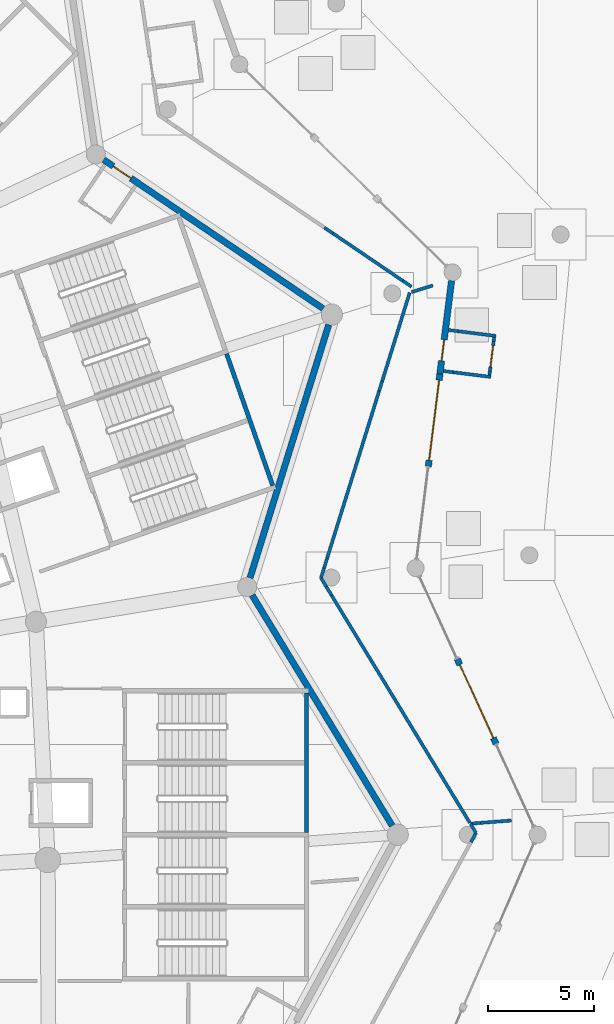
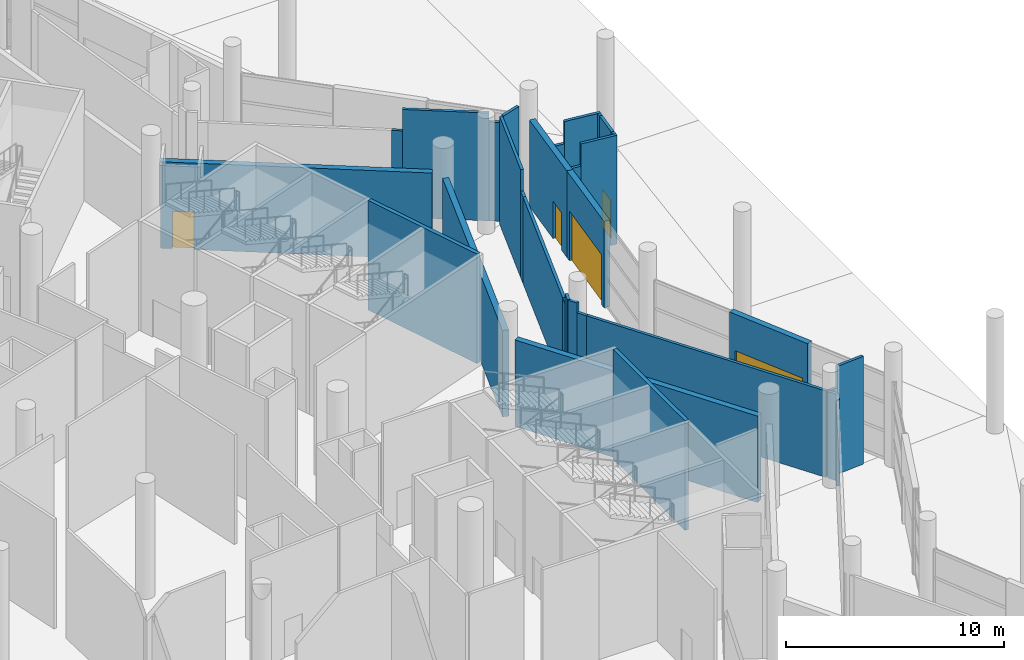
# One storey, part 149 of 255: 31 walls, 5 doors, 5 openings.
"""IFC4 building model written with IfcOpenShell, lengths in metres."""

from ifc_helpers import new_model, si_unit, direction, frame, frame_2d, origin, place, context, subcontext, project, spatial, rectangle, extrude, material, layer, layer_set, type_object, element, fill, save


model = new_model("IFC4")

# Units and contexts
model_context = context("Model", 3, precision=1e-05, world=origin(), true_north=direction((0.0, 1.0)))
body_context = subcontext(model_context, "Body", "Model", "MODEL_VIEW")
ifc_project = project(units=[si_unit("LENGTHUNIT", "METRE"), si_unit("AREAUNIT", "SQUARE_METRE"), si_unit("VOLUMEUNIT", "CUBIC_METRE"), si_unit("PLANEANGLEUNIT", "RADIAN"), si_unit("MASSUNIT", "GRAM", prefix="KILO")], contexts=[model_context])

# Site, building, storey
site_placement = place(None, origin())
site = spatial("IfcSite", under=ifc_project, at=site_placement, CompositionType="ELEMENT")
building_placement = place(site_placement, origin())
building = spatial("IfcBuilding", under=site, at=building_placement, Name="Meseta Stadium", CompositionType="ELEMENT")
storey_placement = place(building_placement, origin())
storey = spatial("IfcBuildingStorey", under=building, at=storey_placement, Name="L00", CompositionType="ELEMENT", Elevation=0.0)

# Walls
ifc_material_1 = material(Name="Concrete C40/50", Category="concrete")
ifc_layer_1 = layer(ifc_material_1, 0.199951171875)
ifc_layer_set_1 = layer_set([ifc_layer_1], Name="Core shaft wall 200")
wall_type_1 = type_object("IfcWallType", Name="Core shaft wall 200", PredefinedType="SHEAR", material=ifc_layer_set_1)
wall_1_placement = place(storey_placement, frame((97.10009765625, 43.85009765625, 0.0), z_axis=(0.0, 0.0, 1.0), x_axis=(0.0, 1.0, 0.0)))
element("IfcWall", 1, at=wall_1_placement, inside=storey, type_object=wall_type_1, Name="Core 05 L00 stair B outer end wall", PredefinedType="SHEAR", context=body_context, shape_type="SweptSolid", body=[
    extrude(rectangle(XDim=6.599853515625, YDim=0.199951171875, at=frame_2d((3.2998046875, 0.0))), origin(), (0.0, 0.0, 1.0), 6.14990234375),
])
wall_2_placement = place(storey_placement, frame((95.50146484375, 60.222900390625, 0.0), z_axis=(0.0, 0.0, 1.0), x_axis=(-0.330286164688, 0.943880844925, 0.0)))
element("IfcWall", 2, at=wall_2_placement, inside=storey, type_object=wall_type_1, Name="Core 06 L00 stair A outer end wall", PredefinedType="SHEAR", context=body_context, shape_type="SweptSolid", body=[
    extrude(rectangle(XDim=6.60009765625, YDim=0.199951171875, at=frame_2d((3.300048828125, 0.0))), origin(), (0.0, 0.0, 1.0), 6.14990234375),
])
ifc_material_2 = material(Name="Masonry blockwork", Category="masonry")
ifc_layer_2 = layer(ifc_material_2, 0.14990234375)
ifc_layer_set_2 = layer_set([ifc_layer_2], Name="Partition 150")
wall_type_2 = type_object("IfcWallType", Name="Partition 150", PredefinedType="PARTITIONING", material=ifc_layer_set_2)
wall_3_placement = place(storey_placement, frame((104.854736328125, 43.404296875, 0.0), z_axis=(0.0, 0.0, 1.0), x_axis=(0.477778636386, 0.878480264214, 0.0)))
element("IfcWall", 3, at=wall_3_placement, inside=storey, type_object=wall_type_2, Name="Partition L00 L00-ring03-0", PredefinedType="PARTITIONING", context=body_context, shape_type="SweptSolid", body=[
    extrude(rectangle(XDim=0.494140625, YDim=0.14990234375, at=frame_2d((0.2470703125, 0.0))), origin(), (0.0, 0.0, 1.0), 4.85009765625),
])
wall_4_placement = place(storey_placement, frame((105.0908203125, 43.83837890625, 0.0), z_axis=(0.0, 0.0, 1.0), x_axis=(-0.519227807871, 0.854635877747, 0.0)))
element("IfcWall", 4, at=wall_4_placement, inside=storey, type_object=wall_type_2, Name="Partition L00 L00-ring03-0", PredefinedType="PARTITIONING", context=body_context, shape_type="SweptSolid", body=[
    extrude(rectangle(XDim=0.48486328125, YDim=0.14990234375, at=frame_2d((0.242431640625, 0.0))), origin(), (0.0, 0.0, 1.0), 4.85009765625),
])
wall_5_placement = place(storey_placement, frame((104.826171875, 44.27392578125, 0.0), z_axis=(0.0, 0.0, 1.0), x_axis=(0.997060412816, 0.076619404827, 0.0)))
element("IfcWall", 5, at=wall_5_placement, inside=storey, type_object=wall_type_2, Name="Partition L00 L00-ring03-0", PredefinedType="PARTITIONING", context=body_context, shape_type="SweptSolid", body=[
    extrude(rectangle(XDim=0.484375, YDim=0.14990234375, at=frame_2d((0.2421875, 0.0))), origin(), (0.0, 0.0, 1.0), 4.85009765625),
])
wall_6_placement = place(storey_placement, frame((105.30908203125, 44.31103515625, 0.0), z_axis=(0.0, 0.0, 1.0), x_axis=(0.997074216986, 0.076439556652, 0.0)))
element("IfcWall", 6, at=wall_6_placement, inside=storey, type_object=wall_type_2, Name="Partition L00 L00-ring03-0", PredefinedType="PARTITIONING", context=body_context, shape_type="SweptSolid", body=[
    extrude(rectangle(XDim=1.453125, YDim=0.14990234375, at=frame_2d((0.7265625, 0.0))), origin(), (0.0, 0.0, 1.0), 6.050048828125),
])
wall_7_placement = place(storey_placement, frame((104.80029296875, 44.316650390625, 0.0), z_axis=(0.0, 0.0, 1.0), x_axis=(-0.519360721843, 0.85455511268, 0.0)))
element("IfcWall", 7, at=wall_7_placement, inside=storey, type_object=wall_type_2, Name="Partition L00 L00-ring04-0", PredefinedType="PARTITIONING", context=body_context, shape_type="SweptSolid", body=[
    extrude(rectangle(XDim=12.553955078125, YDim=0.14990234375, at=frame_2d((6.27685546875, 0.0))), origin(), (0.0, 0.0, 1.0), 4.85009765625),
])
wall_8_placement = place(storey_placement, frame((98.2802734375, 55.044677734375, 0.0), z_axis=(0.0, 0.0, 1.0), x_axis=(-0.519690320674, 0.854354710058, 0.0)))
element("IfcWall", 8, at=wall_8_placement, inside=storey, type_object=wall_type_2, Name="Partition L00 L00-ring04-0", PredefinedType="PARTITIONING", context=body_context, shape_type="SweptSolid", body=[
    extrude(rectangle(XDim=0.48291015625, YDim=0.14990234375, at=frame_2d((0.241455078125, 0.0))), origin(), (0.0, 0.0, 1.0), 4.85009765625),
])
wall_9_placement = place(storey_placement, frame((98.029296875, 55.457275390625, 0.0), z_axis=(0.0, 0.0, 1.0), x_axis=(-0.518951736183, 0.854803542056, 0.0)))
element("IfcWall", 9, at=wall_9_placement, inside=storey, type_object=wall_type_2, Name="Partition L00 L00-ring04-0", PredefinedType="PARTITIONING", context=body_context, shape_type="SweptSolid", body=[
    extrude(rectangle(XDim=0.482666015625, YDim=0.14990234375, at=frame_2d((0.2412109375, 0.0))), origin(), (0.0, 0.0, 1.0), 5.39990234375),
])
wall_10_placement = place(storey_placement, frame((97.77880859375, 55.869873046875, 0.0), z_axis=(0.0, 0.0, 1.0), x_axis=(0.296873171233, 0.954916917958, 0.0)))
element("IfcWall", 10, at=wall_10_placement, inside=storey, type_object=wall_type_2, Name="Partition L00 L00-ring04-0", PredefinedType="PARTITIONING", context=body_context, shape_type="SweptSolid", body=[
    extrude(rectangle(XDim=0.486083984375, YDim=0.14990234375, at=frame_2d((0.2431640625, 0.0))), origin(), (0.0, 0.0, 1.0), 5.39990234375),
])
wall_11_placement = place(storey_placement, frame((97.923095703125, 56.333984375, 0.0), z_axis=(0.0, 0.0, 1.0), x_axis=(0.296730832925, 0.95496115774, 0.0)))
element("IfcWall", 11, at=wall_11_placement, inside=storey, type_object=wall_type_2, Name="Partition L00 L00-ring04-0", PredefinedType="PARTITIONING", context=body_context, shape_type="SweptSolid", body=[
    extrude(rectangle(XDim=0.486328125, YDim=0.14990234375, at=frame_2d((0.2431640625, 0.0))), origin(), (0.0, 0.0, 1.0), 4.85009765625),
])
wall_12_placement = place(storey_placement, frame((98.0673828125, 56.79833984375, 0.0), z_axis=(0.0, 0.0, 1.0), x_axis=(0.296860049539, 0.954920997249, 0.0)))
element("IfcWall", 12, at=wall_12_placement, inside=storey, type_object=wall_type_2, Name="Partition L00 L00-ring04-0", PredefinedType="PARTITIONING", context=body_context, shape_type="SweptSolid", body=[
    extrude(rectangle(XDim=8.264404296875, YDim=0.14990234375, at=frame_2d((4.13232421875, 0.0))), origin(), (0.0, 0.0, 1.0), 4.85009765625),
])
wall_13_placement = place(storey_placement, frame((100.520751953125, 64.690185546875, 0.0), z_axis=(0.0, 0.0, 1.0), x_axis=(0.296873171233, 0.954916917958, 0.0)))
element("IfcWall", 13, at=wall_13_placement, inside=storey, type_object=wall_type_2, Name="Partition L00 L00-ring04-0", PredefinedType="PARTITIONING", context=body_context, shape_type="SweptSolid", body=[
    extrude(rectangle(XDim=0.486083984375, YDim=0.14990234375, at=frame_2d((0.2431640625, 0.0))), origin(), (0.0, 0.0, 1.0), 4.85009765625),
])
wall_14_placement = place(storey_placement, frame((100.6650390625, 65.154296875, 0.0), z_axis=(0.0, 0.0, 1.0), x_axis=(0.296844960802, 0.954925687814, 0.0)))
element("IfcWall", 14, at=wall_14_placement, inside=storey, type_object=wall_type_2, Name="Partition L00 L00-ring04-0", PredefinedType="PARTITIONING", context=body_context, shape_type="SweptSolid", body=[
    extrude(rectangle(XDim=4.37548828125, YDim=0.14990234375, at=frame_2d((2.187744140625, 0.0))), origin(), (0.0, 0.0, 1.0), 6.050048828125),
])
wall_15_placement = place(storey_placement, frame((102.05078125, 69.359375, 0.0), z_axis=(0.0, 0.0, 1.0), x_axis=(0.954846542122, 0.29709944631, 0.0)))
element("IfcWall", 15, at=wall_15_placement, inside=storey, type_object=wall_type_2, Name="Partition L00 L00-ring04-0", PredefinedType="PARTITIONING", context=body_context, shape_type="SweptSolid", body=[
    extrude(rectangle(XDim=1.052734375, YDim=0.14990234375, at=frame_2d((0.5263671875, 0.0))), origin(), (0.0, 0.0, 1.0), 6.050048828125),
])
wall_16_placement = place(storey_placement, frame((102.05126953125, 69.61328125, 0.0), z_axis=(0.0, 0.0, 1.0), x_axis=(-0.827646697141, 0.561249449632, 0.0)))
element("IfcWall", 16, at=wall_16_placement, inside=storey, type_object=wall_type_2, Name="Partition L00 L00-ring05-0", PredefinedType="PARTITIONING", context=body_context, shape_type="SweptSolid", body=[
    extrude(rectangle(XDim=0.49755859375, YDim=0.14990234375, at=frame_2d((0.248779296875, 0.0))), origin(), (0.0, 0.0, 1.0), 5.550048828125),
])
wall_17_placement = place(storey_placement, frame((101.639404296875, 69.892578125, 0.0), z_axis=(0.0, 0.0, 1.0), x_axis=(-0.82747475675, 0.561502918017, 0.0)))
element("IfcWall", 17, at=wall_17_placement, inside=storey, type_object=wall_type_2, Name="Partition L00 L00-ring05-0", PredefinedType="PARTITIONING", context=body_context, shape_type="SweptSolid", body=[
    extrude(rectangle(XDim=3.98095703125, YDim=0.14990234375, at=frame_2d((1.990478515625, 0.0))), origin(), (0.0, 0.0, 1.0), 6.050048828125),
])
wall_18_placement = place(storey_placement, frame((98.34521484375, 72.1279296875, 0.0), z_axis=(0.0, 0.0, 1.0), x_axis=(-0.827492062667, 0.561477413814, 0.0)))
element("IfcWall", 18, at=wall_18_placement, inside=storey, type_object=wall_type_2, Name="Partition L00 L00-ring05-0", PredefinedType="PARTITIONING", context=body_context, shape_type="SweptSolid", body=[
    extrude(rectangle(XDim=0.497314453125, YDim=0.14990234375, at=frame_2d((0.24853515625, 0.0))), origin(), (0.0, 0.0, 1.0), 4.85009765625),
])
wall_19_placement = place(storey_placement, frame((103.800537109375, 67.569091796875, 0.0), z_axis=(0.0, 0.0, 1.0), x_axis=(0.992252817521, -0.124235043856, 0.0)))
element("IfcWall", 19, at=wall_19_placement, inside=storey, type_object=wall_type_2, Name="Partition L00 L00-ring04-0 vestibule", PredefinedType="PARTITIONING", context=body_context, shape_type="SweptSolid", body=[
    extrude(rectangle(XDim=0.449951171875, YDim=0.14990234375, at=frame_2d((0.22509765625, 0.0))), origin(), (0.0, 0.0, 1.0), 4.85009765625),
])
wall_20_placement = place(storey_placement, frame((104.2470703125, 67.51318359375, 0.0), z_axis=(0.0, 0.0, 1.0), x_axis=(0.992269528002, -0.124101506031, 0.0)))
element("IfcWall", 20, at=wall_20_placement, inside=storey, type_object=wall_type_2, Name="Partition L00 L00-ring04-0 vestibule", PredefinedType="PARTITIONING", context=body_context, shape_type="SweptSolid", body=[
    extrude(rectangle(XDim=1.800048828125, YDim=0.14990234375, at=frame_2d((0.89990234375, 0.0))), origin(), (0.0, 0.0, 1.0), 6.10009765625),
])
wall_21_placement = place(storey_placement, frame((103.558349609375, 65.63427734375, 0.0), z_axis=(0.0, 0.0, 1.0), x_axis=(0.992252817521, -0.124235043856, 0.0)))
element("IfcWall", 21, at=wall_21_placement, inside=storey, type_object=wall_type_2, Name="Partition L00 L00-ring04-0 vestibule", PredefinedType="PARTITIONING", context=body_context, shape_type="SweptSolid", body=[
    extrude(rectangle(XDim=0.449951171875, YDim=0.14990234375, at=frame_2d((0.22509765625, 0.0))), origin(), (0.0, 0.0, 1.0), 4.85009765625),
])
wall_22_placement = place(storey_placement, frame((104.0048828125, 65.578369140625, 0.0), z_axis=(0.0, 0.0, 1.0), x_axis=(0.992252817521, -0.124235043856, 0.0)))
element("IfcWall", 22, at=wall_22_placement, inside=storey, type_object=wall_type_2, Name="Partition L00 L00-ring04-0 vestibule", PredefinedType="PARTITIONING", context=body_context, shape_type="SweptSolid", body=[
    extrude(rectangle(XDim=1.800048828125, YDim=0.14990234375, at=frame_2d((0.89990234375, 0.0))), origin(), (0.0, 0.0, 1.0), 6.10009765625),
])
wall_23_placement = place(storey_placement, frame((105.94921875, 67.224609375, 0.0), z_axis=(0.0, 0.0, 1.0), x_axis=(-0.123283542659, -0.992371486949, 0.0)))
element("IfcWall", 23, at=wall_23_placement, inside=storey, type_object=wall_type_2, Name="Partition L00 L00-ring04-0 vestibule", PredefinedType="PARTITIONING", context=body_context, shape_type="SweptSolid", body=[
    extrude(rectangle(XDim=0.199951171875, YDim=0.14990234375, at=frame_2d((0.10009765625, 0.0))), origin(), (0.0, 0.0, 1.0), 6.10009765625),
])

# Wall, opening, door
wall_24_placement = place(storey_placement, frame((105.924560546875, 67.026123046875, 0.0), z_axis=(0.0, 0.0, 1.0), x_axis=(-0.124163511603, -0.9922617711, 0.0)))
wall_24 = element("IfcWall", 24, at=wall_24_placement, inside=storey, type_object=wall_type_2, Name="Partition L00 L00-ring04-0 vestibule", PredefinedType="PARTITIONING", context=body_context, shape_type="SweptSolid", body=[
    extrude(rectangle(XDim=1.39990234375, YDim=0.14990234375, at=frame_2d((0.699951171875, 0.0))), origin(), (0.0, 0.0, 1.0), 6.10009765625),
])
opening_1_placement = place(wall_24_placement, frame((0.199951171875, 0.0, 0.0)))
opening_1 = element("IfcOpeningElement", 25, at=opening_1_placement, cuts=wall_24, Name="Opening D871", PredefinedType="OPENING", context=body_context, shape_type="SweptSolid", body=[
    extrude(rectangle(XDim=1.0, YDim=2.10009765625, at=frame_2d((0.5, 1.050048828125))), frame((0.0, 0.0849609375, 0.0), z_axis=(0.0, -1.0, 0.0), x_axis=(1.0, 0.0, 0.0)), (0.0, 0.0, 1.0), 0.169921875),
])
ifc_material_3 = material(Name="Steel", Category="steel")
door_type_1 = type_object("IfcDoorType", Name="Fire door 1000x2100 EI2 60", OperationType="NOTDEFINED", PredefinedType="DOOR", material=ifc_material_3)
door_1_placement = place(opening_1_placement, origin())
door_1 = element("IfcDoor", 26, at=door_1_placement, inside=storey, type_object=door_type_1, Name="Vestibule door L00 L00-ring04-0", OperationType="SINGLE_SWING_RIGHT", OverallHeight=2.10009765625, OverallWidth=1.0, PredefinedType="DOOR", context=body_context, shape_type="SweptSolid", body=[
    extrude(rectangle(XDim=1.0, YDim=2.10009765625, at=frame_2d((0.5, 1.050048828125))), frame((0.0, 0.02490234375, 0.0), z_axis=(0.0, -1.0, 0.0), x_axis=(1.0, 0.0, 0.0)), (0.0, 0.0, 1.0), 0.050048828125),
])
fill(opening_1, door_1)

# Walls
wall_25_placement = place(storey_placement, frame((105.750732421875, 65.636962890625, 0.0), z_axis=(0.0, 0.0, 1.0), x_axis=(-0.124485347491, -0.99222144618, 0.0)))
element("IfcWall", 27, at=wall_25_placement, inside=storey, type_object=wall_type_2, Name="Partition L00 L00-ring04-0 vestibule", PredefinedType="PARTITIONING", context=body_context, shape_type="SweptSolid", body=[
    extrude(rectangle(XDim=0.199951171875, YDim=0.14990234375, at=frame_2d((0.10009765625, 0.0))), origin(), (0.0, 0.0, 1.0), 6.10009765625),
])
ifc_material_4 = material(Name="White precast concrete C40/50", Category="concrete")
ifc_layer_3 = layer(ifc_material_4, 0.300048828125)
ifc_layer_set_3 = layer_set([ifc_layer_3], Name="Pleated panel wall 300 concourse")
wall_type_3 = type_object("IfcWallType", Name="Pleated panel wall 300 concourse", PredefinedType="SOLIDWALL", material=ifc_layer_set_3)
wall_26_placement = place(storey_placement, frame((94.52783203125, 55.057373046875, 0.0), z_axis=(0.0, 0.0, 1.0), x_axis=(0.519362860044, -0.854553813172, 0.0)))
element("IfcWall", 28, at=wall_26_placement, inside=storey, type_object=wall_type_3, Name="Pleated facade panel L00 F08", PredefinedType="SOLIDWALL", context=body_context, shape_type="SweptSolid", body=[
    extrude(rectangle(XDim=12.732421875, YDim=0.300048828125, at=frame_2d((6.3662109375, 0.0))), origin(), (0.0, 0.0, 1.0), 4.85009765625),
])
wall_27_placement = place(storey_placement, frame((98.142822265625, 67.820068359375, 0.0), z_axis=(0.0, 0.0, 1.0), x_axis=(-0.29687600697, -0.954916036354, 0.0)))
element("IfcWall", 29, at=wall_27_placement, inside=storey, type_object=wall_type_3, Name="Pleated facade panel L00 F09", PredefinedType="SOLIDWALL", context=body_context, shape_type="SweptSolid", body=[
    extrude(rectangle(XDim=12.51318359375, YDim=0.300048828125, at=frame_2d((6.256591796875, 0.0))), origin(), (0.0, 0.0, 1.0), 4.85009765625),
])

# Wall, opening, door
wall_28_placement = place(storey_placement, frame((87.52294921875, 75.604248046875, 0.0), z_axis=(0.0, 0.0, 1.0), x_axis=(0.827480954447, -0.561493784496, 0.0)))
wall_28 = element("IfcWall", 30, at=wall_28_placement, inside=storey, type_object=wall_type_3, Name="Pleated facade panel L00 F10", PredefinedType="SOLIDWALL", context=body_context, shape_type="SweptSolid", body=[
    extrude(rectangle(XDim=12.51318359375, YDim=0.300048828125, at=frame_2d((6.256591796875, 0.0))), origin(), (0.0, 0.0, 1.0), 4.85009765625),
])
opening_2_placement = place(wall_28_placement, frame((0.550048828125, 0.0, 0.0)))
opening_2 = element("IfcOpeningElement", 31, at=opening_2_placement, cuts=wall_28, Name="Opening D552", PredefinedType="OPENING", context=body_context, shape_type="SweptSolid", body=[
    extrude(rectangle(XDim=1.0, YDim=2.10009765625, at=frame_2d((0.5, 1.050048828125))), frame((0.0, 0.159912109375, 0.0), z_axis=(0.0, -1.0, 0.0), x_axis=(1.0, 0.0, 0.0)), (0.0, 0.0, 1.0), 0.320068359375),
])
door_2_placement = place(opening_2_placement, origin())
door_2 = element("IfcDoor", 32, at=door_2_placement, inside=storey, type_object=door_type_1, Name="Door D552", OperationType="SINGLE_SWING_LEFT", OverallHeight=2.10009765625, OverallWidth=1.0, PredefinedType="DOOR", context=body_context, shape_type="SweptSolid", body=[
    extrude(rectangle(XDim=1.0, YDim=2.10009765625, at=frame_2d((0.5, 1.050048828125))), frame((0.0, 0.02490234375, 0.0), z_axis=(0.0, -1.0, 0.0), x_axis=(1.0, 0.0, 0.0)), (0.0, 0.0, 1.0), 0.050048828125),
])
fill(opening_2, door_2)

ifc_material_5 = material(Name="Precast concrete C40/50", Category="concrete")
ifc_layer_4 = layer(ifc_material_5, 0.300048828125)
ifc_layer_set_4 = layer_set([ifc_layer_4], Name="Ring facade panel wall 300")
wall_type_4 = type_object("IfcWallType", Name="Ring facade panel wall 300", PredefinedType="SOLIDWALL", material=ifc_layer_set_4)
wall_29_placement = place(storey_placement, frame((104.207275390625, 52.044189453125, 0.0), z_axis=(0.0, 0.0, 1.0), x_axis=(0.415892203278, -0.90941391855, 0.0)))
wall_29 = element("IfcWall", 33, at=wall_29_placement, inside=storey, type_object=wall_type_4, Name="Ring facade panel wall F08", PredefinedType="SOLIDWALL", context=body_context, shape_type="SweptSolid", body=[
    extrude(rectangle(XDim=4.399658203125, YDim=0.300048828125, at=frame_2d((2.19970703125, 0.0))), origin(), (0.0, 0.0, 1.0), 4.85009765625),
])
opening_3_placement = place(wall_29_placement, frame((0.300048828125, 0.0, 0.0)))
opening_3 = element("IfcOpeningElement", 34, at=opening_3_placement, cuts=wall_29, Name="Opening D938", PredefinedType="OPENING", context=body_context, shape_type="SweptSolid", body=[
    extrude(rectangle(XDim=3.800048828125, YDim=2.800048828125, at=frame_2d((1.89990234375, 1.39990234375))), frame((0.0, 0.159912109375, 0.0), z_axis=(0.0, -1.0, 0.0), x_axis=(1.0, 0.0, 0.0)), (0.0, 0.0, 1.0), 0.320068359375),
])
ifc_material_6 = material(Name="Steel", Category="steel")
door_type_2 = type_object("IfcDoorType", Name="Final exit door 3800x2800", OperationType="DOUBLE_DOOR_SINGLE_SWING", PredefinedType="DOOR", material=ifc_material_6)
door_3_placement = place(opening_3_placement, origin())
door_3 = element("IfcDoor", 35, at=door_3_placement, inside=storey, type_object=door_type_2, Name="Final exit F3", OperationType="DOUBLE_DOOR_SINGLE_SWING", OverallHeight=2.800048828125, OverallWidth=3.800048828125, PredefinedType="DOOR", context=body_context, shape_type="SweptSolid", body=[
    extrude(rectangle(XDim=3.800048828125, YDim=2.800048828125, at=frame_2d((1.89990234375, 1.39990234375))), frame((0.0, 0.02490234375, 0.0), z_axis=(0.0, -1.0, 0.0), x_axis=(1.0, 0.0, 0.0)), (0.0, 0.0, 1.0), 0.050048828125),
])
fill(opening_3, door_3)

wall_30_placement = place(storey_placement, frame((103.39013671875, 65.497314453125, 0.0), z_axis=(0.0, 0.0, 1.0), x_axis=(-0.124123512645, -0.992266775423, 0.0)))
wall_30 = element("IfcWall", 36, at=wall_30_placement, inside=storey, type_object=wall_type_4, Name="Ring facade panel wall F09", PredefinedType="SOLIDWALL", context=body_context, shape_type="SweptSolid", body=[
    extrude(rectangle(XDim=4.39990234375, YDim=0.300048828125, at=frame_2d((2.199951171875, 0.0))), origin(), (0.0, 0.0, 1.0), 4.85009765625),
])
opening_4_placement = place(wall_30_placement, frame((0.300048828125, 0.0, 0.0)))
opening_4 = element("IfcOpeningElement", 37, at=opening_4_placement, cuts=wall_30, Name="Opening D939", PredefinedType="OPENING", context=body_context, shape_type="SweptSolid", body=[
    extrude(rectangle(XDim=3.800048828125, YDim=2.800048828125, at=frame_2d((1.89990234375, 1.39990234375))), frame((0.0, 0.159912109375, 0.0), z_axis=(0.0, -1.0, 0.0), x_axis=(1.0, 0.0, 0.0)), (0.0, 0.0, 1.0), 0.320068359375),
])
door_4_placement = place(opening_4_placement, origin())
door_4 = element("IfcDoor", 38, at=door_4_placement, inside=storey, type_object=door_type_2, Name="Final exit F4", OperationType="DOUBLE_DOOR_SINGLE_SWING", OverallHeight=2.800048828125, OverallWidth=3.800048828125, PredefinedType="DOOR", context=body_context, shape_type="SweptSolid", body=[
    extrude(rectangle(XDim=3.800048828125, YDim=2.800048828125, at=frame_2d((1.89990234375, 1.39990234375))), frame((0.0, 0.02490234375, 0.0), z_axis=(0.0, -1.0, 0.0), x_axis=(1.0, 0.0, 0.0)), (0.0, 0.0, 1.0), 0.050048828125),
])
fill(opening_4, door_4)

wall_31_placement = place(storey_placement, frame((103.940185546875, 69.894775390625, 0.0), z_axis=(0.0, 0.0, 1.0), x_axis=(-0.124116096768, -0.992267703054, 0.0)))
wall_31 = element("IfcWall", 39, at=wall_31_placement, inside=storey, type_object=wall_type_4, Name="Ring store panel wall F09b", PredefinedType="SOLIDWALL", context=body_context, shape_type="SweptSolid", body=[
    extrude(rectangle(XDim=4.431640625, YDim=0.300048828125, at=frame_2d((2.2158203125, 0.0))), origin(), (0.0, 0.0, 1.0), 4.85009765625),
])
opening_5_placement = place(wall_31_placement, frame((2.800048828125, 0.0, 0.0)))
opening_5 = element("IfcOpeningElement", 40, at=opening_5_placement, cuts=wall_31, Name="Opening D621", PredefinedType="OPENING", context=body_context, shape_type="SweptSolid", body=[
    extrude(rectangle(XDim=1.0, YDim=2.10009765625, at=frame_2d((0.5, 1.050048828125))), frame((0.0, 0.159912109375, 0.0), z_axis=(0.0, -1.0, 0.0), x_axis=(1.0, 0.0, 0.0)), (0.0, 0.0, 1.0), 0.320068359375),
])
door_5_placement = place(opening_5_placement, origin())
door_5 = element("IfcDoor", 41, at=door_5_placement, inside=storey, type_object=door_type_1, Name="Door D621", OperationType="SINGLE_SWING_RIGHT", OverallHeight=2.10009765625, OverallWidth=1.0, PredefinedType="DOOR", context=body_context, shape_type="SweptSolid", body=[
    extrude(rectangle(XDim=1.0, YDim=2.10009765625, at=frame_2d((0.5, 1.050048828125))), frame((0.0, 0.02490234375, 0.0), z_axis=(0.0, -1.0, 0.0), x_axis=(1.0, 0.0, 0.0)), (0.0, 0.0, 1.0), 0.050048828125),
])
fill(opening_5, door_5)

save(model, "model.ifc")
